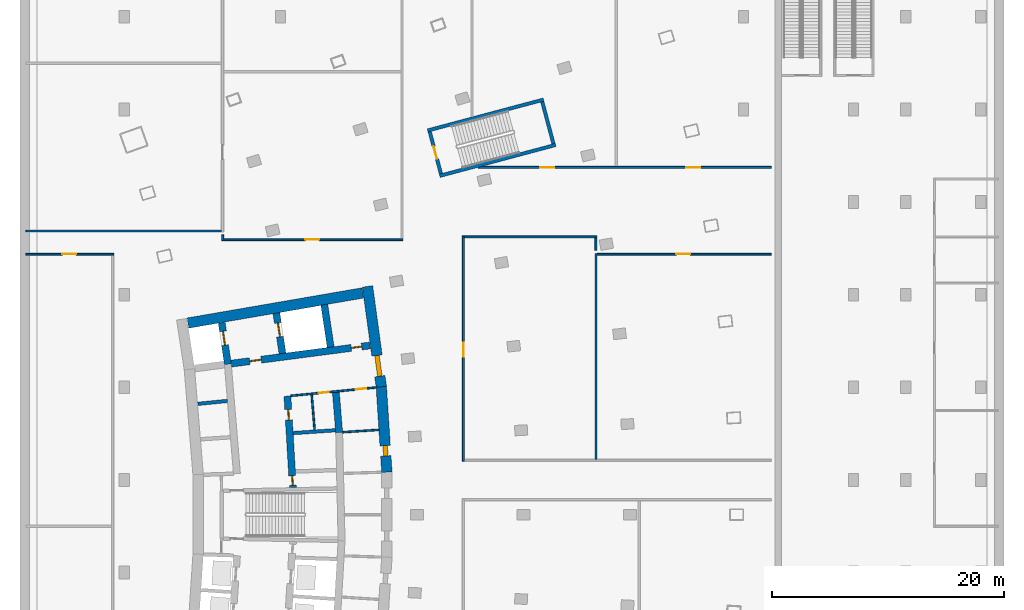
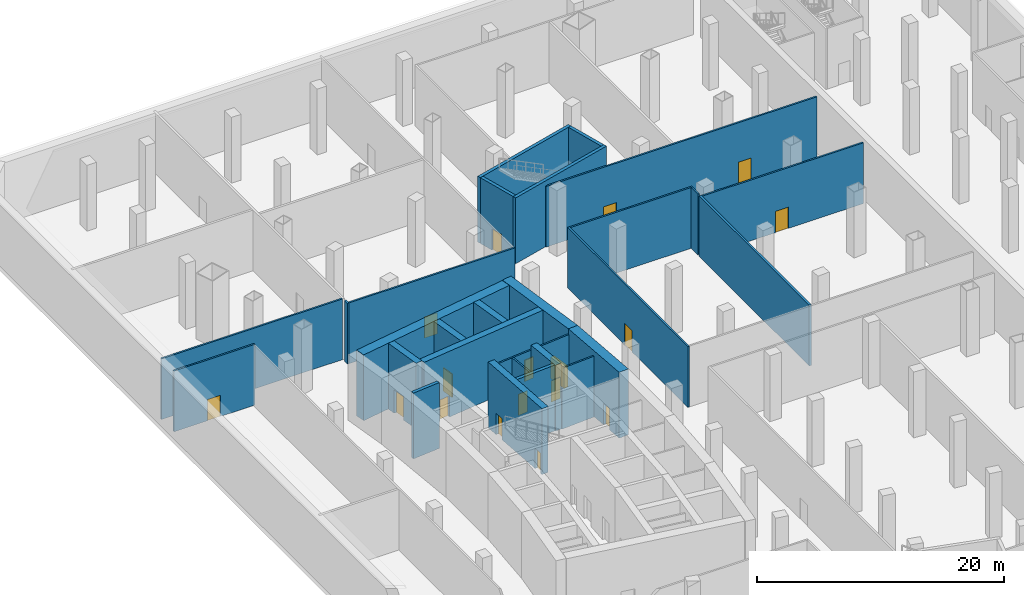
# One storey, part 8 of 16: 28 walls, 17 doors, 17 openings.
"""IFC4 building model written with IfcOpenShell, lengths in metres."""

from ifc_helpers import new_model, si_unit, direction, frame, frame_2d, origin, place, context, subcontext, project, spatial, rectangle, extrude, material, layer, layer_set, type_object, element, fill, save


model = new_model("IFC4")

# Units and contexts
model_context = context("Model", 3, precision=1e-05, world=origin(), true_north=direction((0.0, 1.0)))
body_context = subcontext(model_context, "Body", "Model", "MODEL_VIEW")
ifc_project = project(units=[si_unit("LENGTHUNIT", "METRE"), si_unit("AREAUNIT", "SQUARE_METRE"), si_unit("VOLUMEUNIT", "CUBIC_METRE"), si_unit("PLANEANGLEUNIT", "RADIAN"), si_unit("MASSUNIT", "GRAM", prefix="KILO")], contexts=[model_context])

# Site, building, storey
site_placement = place(None, origin())
site = spatial("IfcSite", under=ifc_project, at=site_placement, CompositionType="ELEMENT")
building_placement = place(site_placement, origin())
building = spatial("IfcBuilding", under=site, at=building_placement, Name="Alderwake Tower", CompositionType="ELEMENT")
storey_placement = place(building_placement, frame((0.0, 0.0, -6.5)))
storey = spatial("IfcBuildingStorey", under=building, at=storey_placement, Name="B1", CompositionType="ELEMENT", Elevation=-6.5)

# Walls
ifc_material_1 = material(Name="Gypsum shaft wall system, rated")
ifc_layer_1 = layer(ifc_material_1, 0.14990234375)
ifc_layer_set_1 = layer_set([ifc_layer_1], Name="Core room partition 150")
wall_type_1 = type_object("IfcWallType", Name="Core room partition 150", PredefinedType="PARTITIONING", material=ifc_layer_set_1)
wall_1_placement = place(storey_placement, frame((26.94970703125, 68.3203125, 0.0), z_axis=(0.0, 0.0, 1.0), x_axis=(-0.082463525817, 0.996594083321, 0.0)))
element("IfcWall", 1, at=wall_1_placement, inside=storey, type_object=wall_type_1, Name="CW/B1/PA+107_+70", PredefinedType="PARTITIONING", context=body_context, shape_type="SweptSolid", body=[
    extrude(rectangle(XDim=3.055419921875, YDim=0.14990234375, at=frame_2d((1.52783203125, 0.0))), origin(), (0.0, 0.0, 1.0), 6.0),
])
wall_2_placement = place(storey_placement, frame((29.36865234375, 68.1220703125, 0.0), z_axis=(0.0, 0.0, 1.0), x_axis=(0.997885090452, 0.065002663433, 0.0)))
element("IfcWall", 2, at=wall_2_placement, inside=storey, type_object=wall_type_1, Name="CW/B1/PR+68_+128", PredefinedType="PARTITIONING", context=body_context, shape_type="SweptSolid", body=[
    extrude(rectangle(XDim=3.10986328125, YDim=0.14990234375, at=frame_2d((1.554931640625, 0.0))), origin(), (0.0, 0.0, 1.0), 6.0),
])

# Wall, openings, doors
wall_3_placement = place(storey_placement, frame((32.233642578125, 71.982177734375, 0.0), z_axis=(0.0, 0.0, 1.0), x_axis=(-0.995245540971, -0.097397706226, 0.0)))
wall_3 = element("IfcWall", 3, at=wall_3_placement, inside=storey, type_object=wall_type_1, Name="CW/B1/PR+102_+86", PredefinedType="PARTITIONING", context=body_context, shape_type="SweptSolid", body=[
    extrude(rectangle(XDim=7.36962890625, YDim=0.14990234375, at=frame_2d((3.684814453125, 0.0))), origin(), (0.0, 0.0, 1.0), 6.0),
])
opening_1_placement = place(wall_3_placement, frame((4.069580078125, 0.0, 0.0)))
opening_1 = element("IfcOpeningElement", 4, at=opening_1_placement, cuts=wall_3, Name="Opening C022", PredefinedType="OPENING", context=body_context, shape_type="SweptSolid", body=[
    extrude(rectangle(XDim=0.89990234375, YDim=2.10009765625, at=frame_2d((0.449951171875, 1.050048828125))), frame((0.0, 0.0849609375, 0.0), z_axis=(0.0, -1.0, 0.0), x_axis=(1.0, 0.0, 0.0)), (0.0, 0.0, 1.0), 0.169921875),
])
opening_2_placement = place(wall_3_placement, frame((0.819580078125, 0.0, 0.0)))
opening_2 = element("IfcOpeningElement", 5, at=opening_2_placement, cuts=wall_3, Name="Opening C036", PredefinedType="OPENING", context=body_context, shape_type="SweptSolid", body=[
    extrude(rectangle(XDim=0.89990234375, YDim=2.10009765625, at=frame_2d((0.449951171875, 1.050048828125))), frame((0.0, 0.0849609375, 0.0), z_axis=(0.0, -1.0, 0.0), x_axis=(1.0, 0.0, 0.0)), (0.0, 0.0, 1.0), 0.169921875),
])
ifc_material_2 = material(Name="Painted steel leaf", Category="steel")
door_type_1 = type_object("IfcDoorType", Name="Core room door 900", OperationType="SINGLE_SWING_LEFT", PredefinedType="DOOR", material=ifc_material_2)
door_1_placement = place(opening_1_placement, origin())
door_1 = element("IfcDoor", 6, at=door_1_placement, inside=storey, type_object=door_type_1, Name="Room door", OperationType="SINGLE_SWING_RIGHT", OverallHeight=2.10009765625, OverallWidth=0.89990234375, PredefinedType="DOOR", context=body_context, shape_type="SweptSolid", body=[
    extrude(rectangle(XDim=0.89990234375, YDim=2.10009765625, at=frame_2d((0.449951171875, 1.050048828125))), frame((0.0, 0.02490234375, 0.0), z_axis=(0.0, -1.0, 0.0), x_axis=(1.0, 0.0, 0.0)), (0.0, 0.0, 1.0), 0.050048828125),
])
fill(opening_1, door_1)
door_2_placement = place(opening_2_placement, origin())
door_2 = element("IfcDoor", 7, at=door_2_placement, inside=storey, type_object=door_type_1, Name="Room door", OperationType="SINGLE_SWING_LEFT", OverallHeight=2.10009765625, OverallWidth=0.89990234375, PredefinedType="DOOR", context=body_context, shape_type="SweptSolid", body=[
    extrude(rectangle(XDim=0.89990234375, YDim=2.10009765625, at=frame_2d((0.449951171875, 1.050048828125))), frame((0.0, 0.02490234375, 0.0), z_axis=(0.0, -1.0, 0.0), x_axis=(1.0, 0.0, 0.0)), (0.0, 0.0, 1.0), 0.050048828125),
])
fill(opening_2, door_2)

# Wall, opening, door
ifc_material_3 = material(Name="Concrete C70/85", Category="concrete")
ifc_layer_2 = layer(ifc_material_3, 0.89990234375)
ifc_layer_set_2 = layer_set([ifc_layer_2], Name="Core wall outer 900 C70-85")
wall_type_2 = type_object("IfcWallType", Name="Core wall outer 900 C70-85", PredefinedType="SHEAR", material=ifc_layer_set_2)
wall_4_placement = place(storey_placement, frame((32.710693359375, 72.04541015625, 0.0), z_axis=(0.0, 0.0, 1.0), x_axis=(0.064976219143, -0.997886812693, 0.0)))
wall_4 = element("IfcWall", 8, at=wall_4_placement, inside=storey, type_object=wall_type_2, Name="Core wall CW.010", PredefinedType="SHEAR", context=body_context, shape_type="SweptSolid", body=[
    extrude(rectangle(XDim=7.39453125, YDim=0.89990234375, at=frame_2d((3.697265625, 0.0))), origin(), (0.0, 0.0, 1.0), 6.5),
])
opening_3_placement = place(wall_4_placement, frame((5.089111328125, 0.0, 0.0)))
opening_3 = element("IfcOpeningElement", 9, at=opening_3_placement, cuts=wall_4, Name="Opening C035", PredefinedType="OPENING", context=body_context, shape_type="SweptSolid", body=[
    extrude(rectangle(XDim=0.89990234375, YDim=2.10009765625, at=frame_2d((0.449951171875, 1.050048828125))), frame((0.0, 0.4599609375, 0.0), z_axis=(0.0, -1.0, 0.0), x_axis=(1.0, 0.0, 0.0)), (0.0, 0.0, 1.0), 0.919921875),
])
door_3_placement = place(opening_3_placement, origin())
door_3 = element("IfcDoor", 10, at=door_3_placement, inside=storey, type_object=door_type_1, Name="Room door", OperationType="SINGLE_SWING_RIGHT", OverallHeight=2.10009765625, OverallWidth=0.89990234375, PredefinedType="DOOR", context=body_context, shape_type="SweptSolid", body=[
    extrude(rectangle(XDim=0.89990234375, YDim=2.10009765625, at=frame_2d((0.449951171875, 1.050048828125))), frame((0.0, 0.199951171875, 0.0), z_axis=(0.0, -1.0, 0.0), x_axis=(1.0, 0.0, 0.0)), (0.0, 0.0, 1.0), 0.39990234375),
])
fill(opening_3, door_3)

wall_5_placement = place(storey_placement, frame((31.520263671875, 80.7177734375, 0.0), z_axis=(0.0, 0.0, 1.0), x_axis=(0.135844728876, -0.990730139663, 0.0)))
wall_5 = element("IfcWall", 11, at=wall_5_placement, inside=storey, type_object=wall_type_2, Name="Core wall CW.009", PredefinedType="SHEAR", context=body_context, shape_type="SweptSolid", body=[
    extrude(rectangle(XDim=8.78662109375, YDim=0.89990234375, at=frame_2d((4.393310546875, 0.0))), origin(), (0.0, 0.0, 1.0), 6.5),
])
opening_4_placement = place(wall_5_placement, frame((6.02978515625, 0.0, 0.0)))
opening_4 = element("IfcOpeningElement", 12, at=opening_4_placement, cuts=wall_5, Name="Opening C001", PredefinedType="OPENING", context=body_context, shape_type="SweptSolid", body=[
    extrude(rectangle(XDim=1.800048828125, YDim=2.10009765625, at=frame_2d((0.89990234375, 1.050048828125))), frame((0.0, 0.4599609375, 0.0), z_axis=(0.0, -1.0, 0.0), x_axis=(1.0, 0.0, 0.0)), (0.0, 0.0, 1.0), 0.919921875),
])
ifc_material_4 = material(Name="Steel-framed fire door leaves", Category="steel")
door_type_2 = type_object("IfcDoorType", Name="Core double door 1800 fire-rated", OperationType="DOUBLE_DOOR_SINGLE_SWING", PredefinedType="DOOR", material=ifc_material_4)
door_4_placement = place(opening_4_placement, origin())
door_4 = element("IfcDoor", 13, at=door_4_placement, inside=storey, type_object=door_type_2, Name="Lobby double door", OperationType="DOUBLE_DOOR_SINGLE_SWING", OverallHeight=2.10009765625, OverallWidth=1.800048828125, PredefinedType="DOOR", context=body_context, shape_type="SweptSolid", body=[
    extrude(rectangle(XDim=1.800048828125, YDim=2.10009765625, at=frame_2d((0.89990234375, 1.050048828125))), frame((0.0, 0.199951171875, 0.0), z_axis=(0.0, -1.0, 0.0), x_axis=(1.0, 0.0, 0.0)), (0.0, 0.0, 1.0), 0.39990234375),
])
fill(opening_4, door_4)

# Walls
wall_6_placement = place(storey_placement, frame((16.005615234375, 77.548828125, 0.0), z_axis=(0.0, 0.0, 1.0), x_axis=(0.985465815888, 0.169873852363, 0.0)))
element("IfcWall", 14, at=wall_6_placement, inside=storey, type_object=wall_type_2, Name="Core wall CW.053", PredefinedType="SHEAR", context=body_context, shape_type="SweptSolid", body=[
    extrude(rectangle(XDim=15.33056640625, YDim=0.89990234375, at=frame_2d((7.665283203125, 0.0))), origin(), (0.0, 0.0, 1.0), 6.5),
])
ifc_material_5 = material(Name="Concrete C70/85", Category="concrete")
ifc_layer_3 = layer(ifc_material_5, 0.300048828125)
ifc_layer_set_3 = layer_set([ifc_layer_3], Name="Core wall shaft 300 C70-85")
wall_type_3 = type_object("IfcWallType", Name="Core wall shaft 300 C70-85", PredefinedType="SHEAR", material=ifc_layer_set_3)
wall_7_placement = place(storey_placement, frame((25.09228515625, 68.04541015625, 0.0), z_axis=(0.0, 0.0, 1.0), x_axis=(0.997760946222, 0.066881194621, 0.0)))
element("IfcWall", 15, at=wall_7_placement, inside=storey, type_object=wall_type_3, Name="Core wall CW.063", PredefinedType="SHEAR", context=body_context, shape_type="SweptSolid", body=[
    extrude(rectangle(XDim=3.668701171875, YDim=0.300048828125, at=frame_2d((1.83447265625, 0.0))), origin(), (0.0, 0.0, 1.0), 6.5),
])
wall_8_placement = place(storey_placement, frame((16.86181640625, 70.571533203125, 0.0), z_axis=(0.0, 0.0, 1.0), x_axis=(0.995151424955, 0.098354671516, 0.0)))
element("IfcWall", 16, at=wall_8_placement, inside=storey, type_object=wall_type_3, Name="Core wall CW.050", PredefinedType="SHEAR", context=body_context, shape_type="SweptSolid", body=[
    extrude(rectangle(XDim=2.566650390625, YDim=0.300048828125, at=frame_2d((1.283203125, 0.0))), origin(), (0.0, 0.0, 1.0), 6.5),
])

# Wall, opening, door
ifc_material_6 = material(Name="Concrete C70/85", Category="concrete")
ifc_layer_4 = layer(ifc_material_6, 0.60009765625)
ifc_layer_set_4 = layer_set([ifc_layer_4], Name="Core wall spine 600 C70-85")
wall_type_4 = type_object("IfcWallType", Name="Core wall spine 600 C70-85", PredefinedType="SHEAR", material=ifc_layer_set_4)
wall_9_placement = place(storey_placement, frame((19.45458984375, 73.99755859375, 0.0), z_axis=(0.0, 0.0, 1.0), x_axis=(-0.147502312715, 0.989061710786, 0.0)))
wall_9 = element("IfcWall", 17, at=wall_9_placement, inside=storey, type_object=wall_type_4, Name="Core wall CW.030", PredefinedType="SHEAR", context=body_context, shape_type="SweptSolid", body=[
    extrude(rectangle(XDim=3.6181640625, YDim=0.60009765625, at=frame_2d((1.80908203125, 0.0))), origin(), (0.0, 0.0, 1.0), 6.5),
])
opening_5_placement = place(wall_9_placement, frame((1.664306640625, 0.0, 0.0)))
opening_5 = element("IfcOpeningElement", 18, at=opening_5_placement, cuts=wall_9, Name="Opening LD-FF1", PredefinedType="OPENING", context=body_context, shape_type="SweptSolid", body=[
    extrude(rectangle(XDim=1.199951171875, YDim=2.300048828125, at=frame_2d((0.60009765625, 1.14990234375))), frame((0.0, 0.31005859375, 0.0), z_axis=(0.0, -1.0, 0.0), x_axis=(1.0, 0.0, 0.0)), (0.0, 0.0, 1.0), 0.6201171875),
])
ifc_material_7 = material(Name="Stainless steel sliding leaf", Category="steel")
door_type_3 = type_object("IfcDoorType", Name="Lift landing door 1200", OperationType="SLIDING_TO_LEFT", PredefinedType="DOOR", material=ifc_material_7)
door_5_placement = place(opening_5_placement, origin())
door_5 = element("IfcDoor", 19, at=door_5_placement, inside=storey, type_object=door_type_3, Name="Lift landing door FF1", OperationType="SLIDING_TO_LEFT", OverallHeight=2.300048828125, OverallWidth=1.199951171875, PredefinedType="DOOR", context=body_context, shape_type="SweptSolid", body=[
    extrude(rectangle(XDim=1.199951171875, YDim=2.300048828125, at=frame_2d((0.60009765625, 1.14990234375))), frame((0.0, 0.050048828125, 0.0), z_axis=(0.0, -1.0, 0.0), x_axis=(1.0, 0.0, 0.0)), (0.0, 0.0, 1.0), 0.10009765625),
])
fill(opening_5, door_5)

# Wall, openings, doors
wall_10_placement = place(storey_placement, frame((25.073974609375, 63.335693359375, 0.0), z_axis=(0.0, 0.0, 1.0), x_axis=(-0.059848641072, 0.998207463487, 0.0)))
wall_10 = element("IfcWall", 20, at=wall_10_placement, inside=storey, type_object=wall_type_4, Name="Core wall CW.045", PredefinedType="SHEAR", context=body_context, shape_type="SweptSolid", body=[
    extrude(rectangle(XDim=7.913818359375, YDim=0.60009765625, at=frame_2d((3.95703125, 0.0))), origin(), (0.0, 0.0, 1.0), 6.5),
])
opening_6_placement = place(wall_10_placement, frame((0.216064453125, 0.0, 0.0)))
opening_6 = element("IfcOpeningElement", 21, at=opening_6_placement, cuts=wall_10, Name="Opening C005", PredefinedType="OPENING", context=body_context, shape_type="SweptSolid", body=[
    extrude(rectangle(XDim=0.800048828125, YDim=2.0, at=frame_2d((0.39990234375, 1.0))), frame((0.0, 0.31005859375, 0.0), z_axis=(0.0, -1.0, 0.0), x_axis=(1.0, 0.0, 0.0)), (0.0, 0.0, 1.0), 0.6201171875),
])
opening_7_placement = place(wall_10_placement, frame((5.856201171875, 0.0, 0.0)))
opening_7 = element("IfcOpeningElement", 22, at=opening_7_placement, cuts=wall_10, Name="Opening C024", PredefinedType="OPENING", context=body_context, shape_type="SweptSolid", body=[
    extrude(rectangle(XDim=0.89990234375, YDim=2.10009765625, at=frame_2d((0.449951171875, 1.050048828125))), frame((0.0, 0.31005859375, 0.0), z_axis=(0.0, -1.0, 0.0), x_axis=(1.0, 0.0, 0.0)), (0.0, 0.0, 1.0), 0.6201171875),
])
door_6_placement = place(opening_7_placement, origin())
door_6 = element("IfcDoor", 23, at=door_6_placement, inside=storey, type_object=door_type_1, Name="Room door", OperationType="SINGLE_SWING_LEFT", OverallHeight=2.10009765625, OverallWidth=0.89990234375, PredefinedType="DOOR", context=body_context, shape_type="SweptSolid", body=[
    extrude(rectangle(XDim=0.89990234375, YDim=2.10009765625, at=frame_2d((0.449951171875, 1.050048828125))), frame((0.0, 0.050048828125, 0.0), z_axis=(0.0, -1.0, 0.0), x_axis=(1.0, 0.0, 0.0)), (0.0, 0.0, 1.0), 0.10009765625),
])
fill(opening_7, door_6)
ifc_material_8 = material(Name="Painted steel leaf, rated", Category="steel")
door_type_4 = type_object("IfcDoorType", Name="Riser access door 800", OperationType="SINGLE_SWING_LEFT", PredefinedType="DOOR", material=ifc_material_8)
door_7_placement = place(opening_6_placement, origin())
door_7 = element("IfcDoor", 24, at=door_7_placement, inside=storey, type_object=door_type_4, Name="Riser access door", OperationType="SINGLE_SWING_LEFT", OverallHeight=2.0, OverallWidth=0.800048828125, PredefinedType="DOOR", context=body_context, shape_type="SweptSolid", body=[
    extrude(rectangle(XDim=0.800048828125, YDim=2.0, at=frame_2d((0.39990234375, 1.0))), frame((0.0, 0.050048828125, 0.0), z_axis=(0.0, -1.0, 0.0), x_axis=(1.0, 0.0, 0.0)), (0.0, 0.0, 1.0), 0.10009765625),
])
fill(opening_6, door_7)

# Wall, opening, door
wall_11_placement = place(storey_placement, frame((24.173095703125, 74.927734375, 0.0), z_axis=(0.0, 0.0, 1.0), x_axis=(-0.14910953086, 0.988820685365, 0.0)))
wall_11 = element("IfcWall", 25, at=wall_11_placement, inside=storey, type_object=wall_type_4, Name="Core wall CW.044", PredefinedType="SHEAR", context=body_context, shape_type="SweptSolid", body=[
    extrude(rectangle(XDim=3.5234375, YDim=0.60009765625, at=frame_2d((1.76171875, 0.0))), origin(), (0.0, 0.0, 1.0), 6.5),
])
opening_8_placement = place(wall_11_placement, frame((1.4619140625, 0.0, 0.0)))
opening_8 = element("IfcOpeningElement", 26, at=opening_8_placement, cuts=wall_11, Name="Opening LD-FF2", PredefinedType="OPENING", context=body_context, shape_type="SweptSolid", body=[
    extrude(rectangle(XDim=1.199951171875, YDim=2.300048828125, at=frame_2d((0.60009765625, 1.14990234375))), frame((0.0, 0.31005859375, 0.0), z_axis=(0.0, -1.0, 0.0), x_axis=(1.0, 0.0, 0.0)), (0.0, 0.0, 1.0), 0.6201171875),
])
door_8_placement = place(opening_8_placement, origin())
door_8 = element("IfcDoor", 27, at=door_8_placement, inside=storey, type_object=door_type_3, Name="Lift landing door FF2", OperationType="SLIDING_TO_LEFT", OverallHeight=2.300048828125, OverallWidth=1.199951171875, PredefinedType="DOOR", context=body_context, shape_type="SweptSolid", body=[
    extrude(rectangle(XDim=1.199951171875, YDim=2.300048828125, at=frame_2d((0.60009765625, 1.14990234375))), frame((0.0, 0.050048828125, 0.0), z_axis=(0.0, -1.0, 0.0), x_axis=(1.0, 0.0, 0.0)), (0.0, 0.0, 1.0), 0.10009765625),
])
fill(opening_8, door_8)

# Walls
wall_12_placement = place(storey_placement, frame((29.069580078125, 68.09326171875, 0.0), z_axis=(0.0, 0.0, 1.0), x_axis=(-0.080849700234, 0.996726304445, 0.0)))
element("IfcWall", 28, at=wall_12_placement, inside=storey, type_object=wall_type_4, Name="Core wall CW.003", PredefinedType="SHEAR", context=body_context, shape_type="SweptSolid", body=[
    extrude(rectangle(XDim=3.48779296875, YDim=0.60009765625, at=frame_2d((1.743896484375, 0.0))), origin(), (0.0, 0.0, 1.0), 6.5),
])
wall_13_placement = place(storey_placement, frame((28.337646484375, 75.472412109375, 0.0), z_axis=(0.0, 0.0, 1.0), x_axis=(-0.149224787751, 0.988803298296, 0.0)))
element("IfcWall", 29, at=wall_13_placement, inside=storey, type_object=wall_type_4, Name="Core wall CW.001", PredefinedType="SHEAR", context=body_context, shape_type="SweptSolid", body=[
    extrude(rectangle(XDim=3.712158203125, YDim=0.60009765625, at=frame_2d((1.85595703125, 0.0))), origin(), (0.0, 0.0, 1.0), 6.5),
])

# Wall, openings, doors
wall_14_placement = place(storey_placement, frame((31.735595703125, 75.6142578125, 0.0), z_axis=(0.0, 0.0, 1.0), x_axis=(-0.991553829991, -0.129695806526, 0.0)))
wall_14 = element("IfcWall", 30, at=wall_14_placement, inside=storey, type_object=wall_type_4, Name="Core wall CW.052", PredefinedType="SHEAR", context=body_context, shape_type="SweptSolid", body=[
    extrude(rectangle(XDim=12.0869140625, YDim=0.60009765625, at=frame_2d((6.04345703125, 0.0))), origin(), (0.0, 0.0, 1.0), 6.5),
])
opening_9_placement = place(wall_14_placement, frame((9.4873046875, 0.0, 0.0)))
opening_9 = element("IfcOpeningElement", 31, at=opening_9_placement, cuts=wall_14, Name="Opening C002", PredefinedType="OPENING", context=body_context, shape_type="SweptSolid", body=[
    extrude(rectangle(XDim=1.0, YDim=2.10009765625, at=frame_2d((0.5, 1.050048828125))), frame((0.0, 0.31005859375, 0.0), z_axis=(0.0, -1.0, 0.0), x_axis=(1.0, 0.0, 0.0)), (0.0, 0.0, 1.0), 0.6201171875),
])
opening_10_placement = place(wall_14_placement, frame((0.7373046875, 0.0, 0.0)))
opening_10 = element("IfcOpeningElement", 32, at=opening_10_placement, cuts=wall_14, Name="Opening C020", PredefinedType="OPENING", context=body_context, shape_type="SweptSolid", body=[
    extrude(rectangle(XDim=0.89990234375, YDim=2.10009765625, at=frame_2d((0.449951171875, 1.050048828125))), frame((0.0, 0.31005859375, 0.0), z_axis=(0.0, -1.0, 0.0), x_axis=(1.0, 0.0, 0.0)), (0.0, 0.0, 1.0), 0.6201171875),
])
door_9_placement = place(opening_10_placement, origin())
door_9 = element("IfcDoor", 33, at=door_9_placement, inside=storey, type_object=door_type_1, Name="Room door", OperationType="SINGLE_SWING_LEFT", OverallHeight=2.10009765625, OverallWidth=0.89990234375, PredefinedType="DOOR", context=body_context, shape_type="SweptSolid", body=[
    extrude(rectangle(XDim=0.89990234375, YDim=2.10009765625, at=frame_2d((0.449951171875, 1.050048828125))), frame((0.0, 0.050048828125, 0.0), z_axis=(0.0, -1.0, 0.0), x_axis=(1.0, 0.0, 0.0)), (0.0, 0.0, 1.0), 0.10009765625),
])
fill(opening_10, door_9)
ifc_material_9 = material(Name="Steel-framed fire door leaf", Category="steel")
door_type_5 = type_object("IfcDoorType", Name="Firefighting lobby door 1000 fire-rated", OperationType="SINGLE_SWING_LEFT", PredefinedType="DOOR", material=ifc_material_9)
door_10_placement = place(opening_9_placement, origin())
door_10 = element("IfcDoor", 34, at=door_10_placement, inside=storey, type_object=door_type_5, Name="Firefighting lobby door", OperationType="SINGLE_SWING_RIGHT", OverallHeight=2.10009765625, OverallWidth=1.0, PredefinedType="DOOR", context=body_context, shape_type="SweptSolid", body=[
    extrude(rectangle(XDim=1.0, YDim=2.10009765625, at=frame_2d((0.5, 1.050048828125))), frame((0.0, 0.050048828125, 0.0), z_axis=(0.0, -1.0, 0.0), x_axis=(1.0, 0.0, 0.0)), (0.0, 0.0, 1.0), 0.10009765625),
])
fill(opening_9, door_10)

# Walls
ifc_material_10 = material(Name="Concrete C70/85", Category="concrete")
ifc_layer_5 = layer(ifc_material_10, 0.300048828125)
ifc_layer_set_5 = layer_set([ifc_layer_5], Name="Core wall stair enclosure 300 C70-85")
wall_type_5 = type_object("IfcWallType", Name="Core wall stair enclosure 300 C70-85", PredefinedType="SHEAR", material=ifc_layer_set_5)
for number, where, z_axis, x_axis, name in (
    (35, (36.71142578125, 94.182373046875, 0.0), (0.0, 0.0, 1.0), (0.966309214305, 0.257383958996, 0.0), "Core wall CW.082"),
    (36, (37.75390625, 90.268798828125, 0.0), (0.0, 0.0, 1.0), (0.966309214305, 0.257383958996, 0.0), "Core wall CW.084"),
):
    element("IfcWall", number, at=place(storey_placement, frame(where, z_axis=z_axis, x_axis=x_axis)), inside=storey, type_object=wall_type_5, Name=name, PredefinedType="SHEAR", context=body_context, shape_type="SweptSolid", body=[
        extrude(rectangle(XDim=10.360107421875, YDim=0.300048828125, at=frame_2d((5.18017578125, 0.0))), origin(), (0.0, 0.0, 1.0), 6.5),
    ])

# Wall, opening, door
wall_15_placement = place(storey_placement, frame((37.8603515625, 90.452392578125, 0.0), z_axis=(0.0, 0.0, 1.0), x_axis=(-0.257411420208, 0.966301899381, 0.0)))
wall_15 = element("IfcWall", 37, at=wall_15_placement, inside=storey, type_object=wall_type_5, Name="Core wall CW.083", PredefinedType="SHEAR", context=body_context, shape_type="SweptSolid", body=[
    extrude(rectangle(XDim=3.750244140625, YDim=0.300048828125, at=frame_2d((1.875, 0.0))), origin(), (0.0, 0.0, 1.0), 6.5),
])
opening_11_placement = place(wall_15_placement, frame((1.324951171875, 0.0, 0.0)))
opening_11 = element("IfcOpeningElement", 38, at=opening_11_placement, cuts=wall_15, Name="Opening C062", PredefinedType="OPENING", context=body_context, shape_type="SweptSolid", body=[
    extrude(rectangle(XDim=1.10009765625, YDim=2.10009765625, at=frame_2d((0.550048828125, 1.050048828125))), frame((0.0, 0.159912109375, 0.0), z_axis=(0.0, -1.0, 0.0), x_axis=(1.0, 0.0, 0.0)), (0.0, 0.0, 1.0), 0.320068359375),
])
ifc_material_11 = material(Name="Steel-framed fire door leaf", Category="steel")
door_type_6 = type_object("IfcDoorType", Name="Core stair door 1100 fire-rated", OperationType="SINGLE_SWING_LEFT", PredefinedType="DOOR", material=ifc_material_11)
door_11_placement = place(opening_11_placement, origin())
door_11 = element("IfcDoor", 39, at=door_11_placement, inside=storey, type_object=door_type_6, Name="Stair door", OperationType="SINGLE_SWING_RIGHT", OverallHeight=2.10009765625, OverallWidth=1.10009765625, PredefinedType="DOOR", context=body_context, shape_type="SweptSolid", body=[
    extrude(rectangle(XDim=1.10009765625, YDim=2.10009765625, at=frame_2d((0.550048828125, 1.050048828125))), frame((0.0, 0.02490234375, 0.0), z_axis=(0.0, -1.0, 0.0), x_axis=(1.0, 0.0, 0.0)), (0.0, 0.0, 1.0), 0.050048828125),
])
fill(opening_11, door_11)

# Wall
wall_16_placement = place(storey_placement, frame((47.581298828125, 93.041748046875, 0.0), z_axis=(0.0, 0.0, 1.0), x_axis=(-0.257366821694, 0.966313778796, 0.0)))
element("IfcWall", 40, at=wall_16_placement, inside=storey, type_object=wall_type_5, Name="Core wall CW.081", PredefinedType="SHEAR", context=body_context, shape_type="SweptSolid", body=[
    extrude(rectangle(XDim=3.749755859375, YDim=0.300048828125, at=frame_2d((1.875, 0.0))), origin(), (0.0, 0.0, 1.0), 6.5),
])

# Wall, opening, door
ifc_material_12 = material(Name="Gypsum board on metal studs, rated")
ifc_layer_6 = layer(ifc_material_12, 0.159912109375)
ifc_layer_set_6 = layer_set([ifc_layer_6], Name="Corridor wall 160")
wall_type_6 = type_object("IfcWallType", Name="Corridor wall 160", PredefinedType="PARTITIONING", material=ifc_layer_set_6)
wall_17_placement = place(storey_placement, frame((2.0009765625, 83.4990234375, 0.0), z_axis=(0.0, 0.0, 1.0), x_axis=(1.0, 0.0, 0.0)))
wall_17 = element("IfcWall", 41, at=wall_17_placement, inside=storey, type_object=wall_type_6, Name="WL/B1/W32", PredefinedType="PARTITIONING", context=body_context, shape_type="SweptSolid", body=[
    extrude(rectangle(XDim=7.580078125, YDim=0.159912109375, at=frame_2d((3.7900390625, 0.0))), origin(), (0.0, 0.0, 1.0), 6.0),
])
opening_12_placement = place(wall_17_placement, frame((3.14892578125, 0.0, 0.0)))
opening_12 = element("IfcOpeningElement", 42, at=opening_12_placement, cuts=wall_17, Name="Opening B1-32", PredefinedType="OPENING", context=body_context, shape_type="SweptSolid", body=[
    extrude(rectangle(XDim=1.199951171875, YDim=2.10009765625, at=frame_2d((0.60009765625, 1.050048828125))), frame((0.0, 0.08984375, 0.0), z_axis=(0.0, -1.0, 0.0), x_axis=(1.0, 0.0, 0.0)), (0.0, 0.0, 1.0), 0.179931640625),
])
ifc_material_13 = material(Name="Steel door leaf in steel frame", Category="steel")
door_type_7 = type_object("IfcDoorType", Name="Plant room door 1200 steel", OperationType="SINGLE_SWING_LEFT", PredefinedType="DOOR", material=ifc_material_13)
door_12_placement = place(opening_12_placement, origin())
door_12 = element("IfcDoor", 43, at=door_12_placement, inside=storey, type_object=door_type_7, Name="DR/B1/32", OperationType="SINGLE_SWING_LEFT", OverallHeight=2.10009765625, OverallWidth=1.199951171875, PredefinedType="DOOR", context=body_context, shape_type="SweptSolid", body=[
    extrude(rectangle(XDim=1.199951171875, YDim=2.10009765625, at=frame_2d((0.60009765625, 1.050048828125))), frame((0.0, 0.02490234375, 0.0), z_axis=(0.0, -1.0, 0.0), x_axis=(1.0, 0.0, 0.0)), (0.0, 0.0, 1.0), 0.050048828125),
])
fill(opening_12, door_12)

# Walls
wall_18_placement = place(storey_placement, frame((18.9990234375, 84.669921875, 0.0), z_axis=(0.0, 0.0, 1.0), x_axis=(0.0, 1.0, 0.0)))
element("IfcWall", 44, at=wall_18_placement, inside=storey, type_object=wall_type_6, Name="WL/B1/W37", PredefinedType="PARTITIONING", context=body_context, shape_type="SweptSolid", body=[
    extrude(rectangle(XDim=0.496826171875, YDim=0.159912109375, at=frame_2d((0.24853515625, 0.0))), origin(), (0.0, 0.0, 1.0), 6.0),
])
wall_19_placement = place(storey_placement, frame((18.89892578125, 85.5, 0.0), z_axis=(0.0, 0.0, 1.0), x_axis=(-1.0, 0.0, 0.0)))
element("IfcWall", 45, at=wall_19_placement, inside=storey, type_object=wall_type_6, Name="WL/B1/W38", PredefinedType="PARTITIONING", context=body_context, shape_type="SweptSolid", body=[
    extrude(rectangle(XDim=16.89794921875, YDim=0.159912109375, at=frame_2d((8.448974609375, 0.0))), origin(), (0.0, 0.0, 1.0), 6.0),
])

# Wall, opening, door
wall_20_placement = place(storey_placement, frame((34.580078125, 84.75, 0.0), z_axis=(0.0, 0.0, 1.0), x_axis=(-1.0, 0.0, 0.0)))
wall_20 = element("IfcWall", 46, at=wall_20_placement, inside=storey, type_object=wall_type_6, Name="WL/B1/W40", PredefinedType="PARTITIONING", context=body_context, shape_type="SweptSolid", body=[
    extrude(rectangle(XDim=15.5009765625, YDim=0.159912109375, at=frame_2d((7.75048828125, 0.0))), origin(), (0.0, 0.0, 1.0), 6.0),
])
opening_13_placement = place(wall_20_placement, frame((7.22998046875, 0.0, 0.0)))
opening_13 = element("IfcOpeningElement", 47, at=opening_13_placement, cuts=wall_20, Name="Opening B1-21", PredefinedType="OPENING", context=body_context, shape_type="SweptSolid", body=[
    extrude(rectangle(XDim=1.199951171875, YDim=2.10009765625, at=frame_2d((0.60009765625, 1.050048828125))), frame((0.0, 0.08984375, 0.0), z_axis=(0.0, -1.0, 0.0), x_axis=(1.0, 0.0, 0.0)), (0.0, 0.0, 1.0), 0.179931640625),
])
door_13_placement = place(opening_13_placement, origin())
door_13 = element("IfcDoor", 48, at=door_13_placement, inside=storey, type_object=door_type_7, Name="DR/B1/21", OperationType="SINGLE_SWING_LEFT", OverallHeight=2.10009765625, OverallWidth=1.199951171875, PredefinedType="DOOR", context=body_context, shape_type="SweptSolid", body=[
    extrude(rectangle(XDim=1.199951171875, YDim=2.10009765625, at=frame_2d((0.60009765625, 1.050048828125))), frame((0.0, 0.02490234375, 0.0), z_axis=(0.0, -1.0, 0.0), x_axis=(1.0, 0.0, 0.0)), (0.0, 0.0, 1.0), 0.050048828125),
])
fill(opening_13, door_13)

wall_21_placement = place(storey_placement, frame((39.801025390625, 65.6201171875, 0.0), z_axis=(0.0, 0.0, 1.0), x_axis=(0.0, 1.0, 0.0)))
wall_21 = element("IfcWall", 49, at=wall_21_placement, inside=storey, type_object=wall_type_6, Name="WL/B1/W46", PredefinedType="PARTITIONING", context=body_context, shape_type="SweptSolid", body=[
    extrude(rectangle(XDim=19.458984375, YDim=0.159912109375, at=frame_2d((9.7294921875, 0.0))), origin(), (0.0, 0.0, 1.0), 6.0),
])
opening_14_placement = place(wall_21_placement, frame((9.030029296875, 0.0, 0.0)))
opening_14 = element("IfcOpeningElement", 50, at=opening_14_placement, cuts=wall_21, Name="Opening B1-27", PredefinedType="OPENING", context=body_context, shape_type="SweptSolid", body=[
    extrude(rectangle(XDim=1.199951171875, YDim=2.10009765625, at=frame_2d((0.60009765625, 1.050048828125))), frame((0.0, 0.08984375, 0.0), z_axis=(0.0, -1.0, 0.0), x_axis=(1.0, 0.0, 0.0)), (0.0, 0.0, 1.0), 0.179931640625),
])
door_14_placement = place(opening_14_placement, origin())
door_14 = element("IfcDoor", 51, at=door_14_placement, inside=storey, type_object=door_type_7, Name="DR/B1/27", OperationType="SINGLE_SWING_LEFT", OverallHeight=2.10009765625, OverallWidth=1.199951171875, PredefinedType="DOOR", context=body_context, shape_type="SweptSolid", body=[
    extrude(rectangle(XDim=1.199951171875, YDim=2.10009765625, at=frame_2d((0.60009765625, 1.050048828125))), frame((0.0, 0.02490234375, 0.0), z_axis=(0.0, -1.0, 0.0), x_axis=(1.0, 0.0, 0.0)), (0.0, 0.0, 1.0), 0.050048828125),
])
fill(opening_14, door_14)

# Wall
wall_22_placement = place(storey_placement, frame((39.881103515625, 84.9990234375, 0.0), z_axis=(0.0, 0.0, 1.0), x_axis=(1.0, 0.0, 0.0)))
element("IfcWall", 52, at=wall_22_placement, inside=storey, type_object=wall_type_6, Name="WL/B1/W47", PredefinedType="PARTITIONING", context=body_context, shape_type="SweptSolid", body=[
    extrude(rectangle(XDim=11.447998046875, YDim=0.159912109375, at=frame_2d((5.72412109375, 0.0))), origin(), (0.0, 0.0, 1.0), 6.0),
])

# Wall, opening, door
wall_23_placement = place(storey_placement, frame((51.34912109375, 83.4990234375, 0.0), z_axis=(0.0, 0.0, 1.0), x_axis=(1.0, 0.0, 0.0)))
wall_23 = element("IfcWall", 53, at=wall_23_placement, inside=storey, type_object=wall_type_6, Name="WL/B1/W50", PredefinedType="PARTITIONING", context=body_context, shape_type="SweptSolid", body=[
    extrude(rectangle(XDim=15.0498046875, YDim=0.159912109375, at=frame_2d((7.52490234375, 0.0))), origin(), (0.0, 0.0, 1.0), 6.0),
])
opening_15_placement = place(wall_23_placement, frame((6.85107421875, 0.0, 0.0)))
opening_15 = element("IfcOpeningElement", 54, at=opening_15_placement, cuts=wall_23, Name="Opening B1-28", PredefinedType="OPENING", context=body_context, shape_type="SweptSolid", body=[
    extrude(rectangle(XDim=1.199951171875, YDim=2.10009765625, at=frame_2d((0.60009765625, 1.050048828125))), frame((0.0, 0.08984375, 0.0), z_axis=(0.0, -1.0, 0.0), x_axis=(1.0, 0.0, 0.0)), (0.0, 0.0, 1.0), 0.179931640625),
])
door_15_placement = place(opening_15_placement, origin())
door_15 = element("IfcDoor", 55, at=door_15_placement, inside=storey, type_object=door_type_7, Name="DR/B1/28", OperationType="SINGLE_SWING_LEFT", OverallHeight=2.10009765625, OverallWidth=1.199951171875, PredefinedType="DOOR", context=body_context, shape_type="SweptSolid", body=[
    extrude(rectangle(XDim=1.199951171875, YDim=2.10009765625, at=frame_2d((0.60009765625, 1.050048828125))), frame((0.0, 0.02490234375, 0.0), z_axis=(0.0, -1.0, 0.0), x_axis=(1.0, 0.0, 0.0)), (0.0, 0.0, 1.0), 0.050048828125),
])
fill(opening_15, door_15)

# Wall
wall_24_placement = place(storey_placement, frame((51.2490234375, 84.9189453125, 0.0), z_axis=(0.0, 0.0, 1.0), x_axis=(0.0, -1.0, 0.0)))
element("IfcWall", 56, at=wall_24_placement, inside=storey, type_object=wall_type_6, Name="WL/B1/W51", PredefinedType="PARTITIONING", context=body_context, shape_type="SweptSolid", body=[
    extrude(rectangle(XDim=1.086669921875, YDim=0.159912109375, at=frame_2d((0.54345703125, 0.0))), origin(), (0.0, 0.0, 1.0), 6.0),
])

# Wall, openings, doors
wall_25_placement = place(storey_placement, frame((66.39892578125, 90.9990234375, 0.0), z_axis=(0.0, 0.0, 1.0), x_axis=(-1.0, 0.0, 0.0)))
wall_25 = element("IfcWall", 57, at=wall_25_placement, inside=storey, type_object=wall_type_6, Name="WL/B1/W56", PredefinedType="PARTITIONING", context=body_context, shape_type="SweptSolid", body=[
    extrude(rectangle(XDim=25.31689453125, YDim=0.159912109375, at=frame_2d((12.658447265625, 0.0))), origin(), (0.0, 0.0, 1.0), 6.0),
])
opening_16_placement = place(wall_25_placement, frame((18.7490234375, 0.0, 0.0)))
opening_16 = element("IfcOpeningElement", 58, at=opening_16_placement, cuts=wall_25, Name="Opening B1-29", PredefinedType="OPENING", context=body_context, shape_type="SweptSolid", body=[
    extrude(rectangle(XDim=1.199951171875, YDim=2.10009765625, at=frame_2d((0.60009765625, 1.050048828125))), frame((0.0, 0.08984375, 0.0), z_axis=(0.0, -1.0, 0.0), x_axis=(1.0, 0.0, 0.0)), (0.0, 0.0, 1.0), 0.179931640625),
])
opening_17_placement = place(wall_25_placement, frame((6.14892578125, 0.0, 0.0)))
opening_17 = element("IfcOpeningElement", 59, at=opening_17_placement, cuts=wall_25, Name="Opening B1-30", PredefinedType="OPENING", context=body_context, shape_type="SweptSolid", body=[
    extrude(rectangle(XDim=1.199951171875, YDim=2.10009765625, at=frame_2d((0.60009765625, 1.050048828125))), frame((0.0, 0.08984375, 0.0), z_axis=(0.0, -1.0, 0.0), x_axis=(1.0, 0.0, 0.0)), (0.0, 0.0, 1.0), 0.179931640625),
])
door_16_placement = place(opening_16_placement, origin())
door_16 = element("IfcDoor", 60, at=door_16_placement, inside=storey, type_object=door_type_7, Name="DR/B1/29", OperationType="SINGLE_SWING_LEFT", OverallHeight=2.10009765625, OverallWidth=1.199951171875, PredefinedType="DOOR", context=body_context, shape_type="SweptSolid", body=[
    extrude(rectangle(XDim=1.199951171875, YDim=2.10009765625, at=frame_2d((0.60009765625, 1.050048828125))), frame((0.0, 0.02490234375, 0.0), z_axis=(0.0, -1.0, 0.0), x_axis=(1.0, 0.0, 0.0)), (0.0, 0.0, 1.0), 0.050048828125),
])
fill(opening_16, door_16)
door_17_placement = place(opening_17_placement, origin())
door_17 = element("IfcDoor", 61, at=door_17_placement, inside=storey, type_object=door_type_7, Name="DR/B1/30", OperationType="SINGLE_SWING_LEFT", OverallHeight=2.10009765625, OverallWidth=1.199951171875, PredefinedType="DOOR", context=body_context, shape_type="SweptSolid", body=[
    extrude(rectangle(XDim=1.199951171875, YDim=2.10009765625, at=frame_2d((0.60009765625, 1.050048828125))), frame((0.0, 0.02490234375, 0.0), z_axis=(0.0, -1.0, 0.0), x_axis=(1.0, 0.0, 0.0)), (0.0, 0.0, 1.0), 0.050048828125),
])
fill(opening_17, door_17)

# Wall
ifc_material_14 = material(Name="Dense block masonry wall", Category="masonry")
ifc_layer_7 = layer(ifc_material_14, 0.199951171875)
ifc_layer_set_7 = layer_set([ifc_layer_7], Name="Party wall 200")
wall_type_7 = type_object("IfcWallType", Name="Party wall 200", PredefinedType="SOLIDWALL", material=ifc_layer_set_7)
wall_26_placement = place(storey_placement, frame((51.2490234375, 65.780029296875, 0.0), z_axis=(0.0, 0.0, 1.0), x_axis=(0.0, 1.0, 0.0)))
element("IfcWall", 62, at=wall_26_placement, inside=storey, type_object=wall_type_7, Name="WL/B1/W08", PredefinedType="SOLIDWALL", context=body_context, shape_type="SweptSolid", body=[
    extrude(rectangle(XDim=17.799072265625, YDim=0.199951171875, at=frame_2d((8.8994140625, 0.0))), origin(), (0.0, 0.0, 1.0), 6.0),
])

save(model, "model.ifc")
